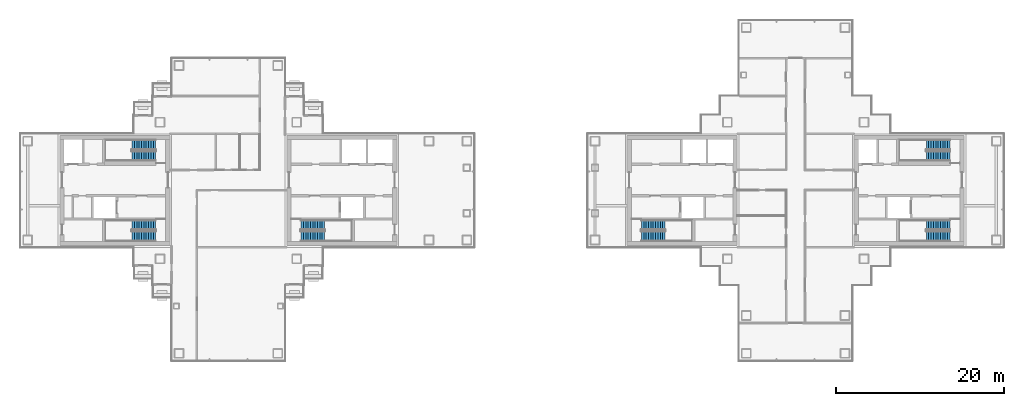
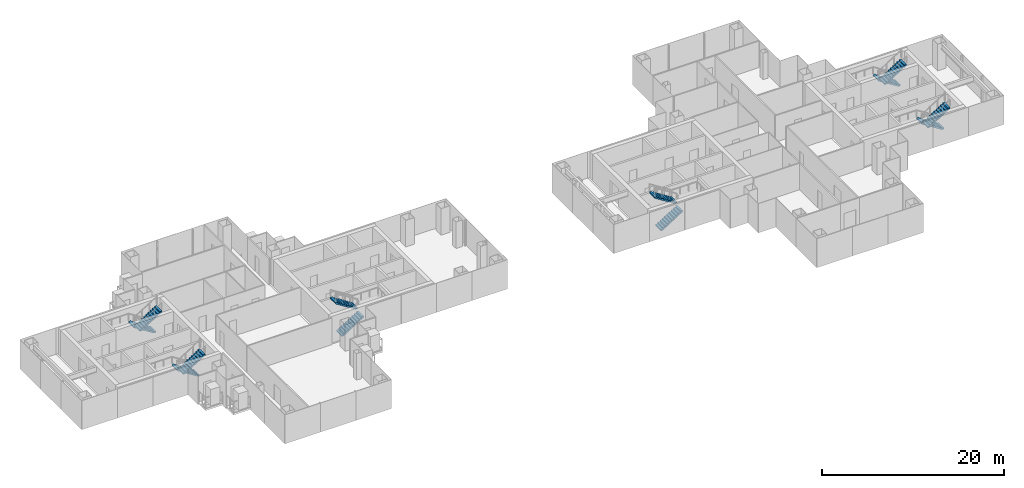
# One storey, part 13 of 16: 12 stair flights, 6 elements without a shape of their own.
"""IFC4 building model written with IfcOpenShell, lengths in metres."""

import ifcopenshell
import ifcopenshell.guid

model = None  # the IFC model being written
_history = None  # IfcOwnerHistory: only IFC2X3 demands one
_inside = {}  # id of a spatial element -> (the spatial element, [elements in it])
_under = {}  # id of a project, library or spatial element -> (it, [spatial elements below it])
_declared = {}  # id of a project -> (the project, [libraries it declares])
_typed = {}  # id of a type object -> (the type object, [elements of that type])
_made_of = {}  # id of a material, layer set ... -> (it, [elements and type objects made of it])


def new_model(schema):
    """Start an empty IFC model of exactly this schema.

    Asked for "IFC4X3", IfcOpenShell would pick the latest addendum, in which some entities
    have other attributes; the version numbers below select the first issue.
    IFC2X3 requires an IfcOwnerHistory on every rooted entity: one is made here for all.
    """
    global model, _history
    if schema == "IFC4X3":
        model = ifcopenshell.file(schema_version=(4, 3, 0, 0))
    else:
        model = ifcopenshell.file(schema=schema)
    _inside.clear()
    _under.clear()
    _declared.clear()
    _typed.clear()
    _made_of.clear()
    _history = None
    if model.schema == "IFC2X3":
        org = make("IfcOrganization", Name="unknown")
        user = make(
            "IfcPersonAndOrganization",
            ThePerson=make("IfcPerson", FamilyName="unknown"),
            TheOrganization=org,
        )
        app = make(
            "IfcApplication",
            ApplicationDeveloper=org,
            Version="unknown",
            ApplicationFullName="unknown",
            ApplicationIdentifier="unknown",
        )
        _history = make(
            "IfcOwnerHistory",
            OwningUser=user,
            OwningApplication=app,
            ChangeAction="ADDED",
            CreationDate=0,
        )
    return model


def make(cls, **values):
    """One entity of the class cls with the attributes given. An attribute that is None is left unset."""
    return model.create_entity(
        cls, **{name: value for name, value in values.items() if value is not None}
    )


def rooted(cls, **values):
    """An entity with a GlobalId (a new one), such as an element, a storey or a relation."""
    return make(cls, GlobalId=ifcopenshell.guid.new(), OwnerHistory=_history, **values)


def si_unit(unit_type, name, prefix=None):
    """IfcSIUnit, for example si_unit("LENGTHUNIT", "METRE", prefix="MILLI")."""
    return make("IfcSIUnit", UnitType=unit_type, Prefix=prefix, Name=name)


def assignment(units):
    """IfcUnitAssignment: the units of a project."""
    return None if units is None else make("IfcUnitAssignment", Units=units)


def point(xyz):
    """IfcCartesianPoint."""
    return None if xyz is None else make("IfcCartesianPoint", Coordinates=xyz)


def direction(xyz):
    """IfcDirection."""
    return None if xyz is None else make("IfcDirection", DirectionRatios=xyz)


def frame(location, z_axis=None, x_axis=None):
    """IfcAxis2Placement3D, a coordinate frame: its origin and axes. An axis left out is left unset."""
    return make(
        "IfcAxis2Placement3D",
        Location=point(location),
        Axis=direction(z_axis),
        RefDirection=direction(x_axis),
    )


def origin():
    """The frame at (0, 0, 0) with its axes left unset."""
    return frame((0.0, 0.0, 0.0))


def place(relative_to, where):
    """IfcLocalPlacement: puts the frame where relative to a parent placement (None: the world)."""
    return make(
        "IfcLocalPlacement", PlacementRelTo=relative_to, RelativePlacement=where
    )


def context(
    kind, dimensions, precision=None, world=None, true_north=None, identifier=None
):
    """IfcGeometricRepresentationContext, for example the 3D "Model" context."""
    return make(
        "IfcGeometricRepresentationContext",
        ContextIdentifier=identifier,
        ContextType=kind,
        CoordinateSpaceDimension=dimensions,
        Precision=precision,
        WorldCoordinateSystem=world,
        TrueNorth=true_north,
    )


def subcontext(parent, identifier, kind, view, scale=None):
    """IfcGeometricRepresentationSubContext, for example "Body" below "Model"."""
    return make(
        "IfcGeometricRepresentationSubContext",
        ContextIdentifier=identifier,
        ContextType=kind,
        ParentContext=parent,
        TargetScale=scale,
        TargetView=view,
    )


def project(units=None, contexts=None):
    """IfcProject with its units and contexts."""
    return rooted(
        "IfcProject",
        Name="project",
        RepresentationContexts=contexts,
        UnitsInContext=assignment(units),
    )


def spatial(cls, under=None, at=None, **own):
    """A site, building, storey or space (cls), placed at a placement, below another one or the project."""
    s = rooted(cls, ObjectPlacement=at, **own)
    if under is not None:
        _under.setdefault(under.id(), (under, []))[1].append(s)
    return s


def polyline(points):
    """IfcPolyline through the points."""
    return make("IfcPolyline", Points=[point(p) for p in points])


def outline(outer, holes=None, kind="AREA"):
    """IfcArbitraryClosedProfileDef: a profile drawn as a closed curve; with holes, ...WithVoids."""
    if holes is None:
        return make("IfcArbitraryClosedProfileDef", ProfileType=kind, OuterCurve=outer)
    return make(
        "IfcArbitraryProfileDefWithVoids",
        ProfileType=kind,
        OuterCurve=outer,
        InnerCurves=holes,
    )


def extrude(swept, where, along, depth):
    """IfcExtrudedAreaSolid: the profile swept, set in the frame where, extruded along a direction by depth."""
    return make(
        "IfcExtrudedAreaSolid",
        SweptArea=swept,
        Position=where,
        ExtrudedDirection=direction(along),
        Depth=depth,
    )


def shape(context_of_items, identifier, shape_type, items):
    """IfcShapeRepresentation: the items that make up one representation, for example the "Body"."""
    return make(
        "IfcShapeRepresentation",
        ContextOfItems=context_of_items,
        RepresentationIdentifier=identifier,
        RepresentationType=shape_type,
        Items=items,
    )


def material(Name=None, Category=None):
    """IfcMaterial."""
    return make("IfcMaterial", Name=Name, Category=Category)


def made_of(thing, what):
    """Note that an element or type object is made of a material, layer set ...; save() writes the relation."""
    if what is not None:
        _made_of.setdefault(what.id(), (what, []))[1].append(thing)
    return thing


def type_object(cls, material=None, **own):
    """A type object (cls), such as IfcWallType, which elements share."""
    return made_of(rooted(cls, **own), material)


def element(
    cls,
    number,
    at=None,
    inside=None,
    cuts=None,
    type_object=None,
    material=None,
    context=None,
    identifier="Body",
    shape_type=None,
    held_by="IfcProductDefinitionShape",
    body=None,
    shapes=None,
    **own,
):
    """One element of the class cls, such as IfcWall. Its Tag is "e" and its number.

    at: its placement. inside: the storey or other place that contains it. cuts: it is an
    opening in that element (IfcRelVoidsElement). A single representation is given by context,
    identifier, shape_type and body (its items); several are given by shapes. held_by: the class
    of the entity that holds the representations. save() writes the other relations.
    """
    e = rooted(cls, Tag="e%d" % number, ObjectPlacement=at, **own)
    if body is not None:
        shapes = [shape(context, identifier, shape_type, body)]
    if shapes is not None:
        e.Representation = make(held_by, Representations=shapes)
    if inside is not None:
        _inside.setdefault(inside.id(), (inside, []))[1].append(e)
    if cuts is not None:
        rooted(
            "IfcRelVoidsElement", RelatingBuildingElement=cuts, RelatedOpeningElement=e
        )
    if type_object is not None:
        _typed.setdefault(type_object.id(), (type_object, []))[1].append(e)
    return made_of(e, material)


def aggregate(whole, parts):
    """IfcRelAggregates: a whole, such as a stair, and the parts it consists of."""
    return rooted("IfcRelAggregates", RelatingObject=whole, RelatedObjects=parts)


def save(model, path):
    """Write the relations noted so far, then the file.

    IfcRelAggregates (storeys below a building ...), IfcRelContainedInSpatialStructure (elements
    in a storey), IfcRelDefinesByType, IfcRelAssociatesMaterial and IfcRelDeclares: one each for
    every whole, place, type object, material and project.
    """
    for whole, parts in _under.values():
        aggregate(whole, parts)
    for where, things in _inside.values():
        rooted(
            "IfcRelContainedInSpatialStructure",
            RelatedElements=things,
            RelatingStructure=where,
        )
    for kind, things in _typed.values():
        rooted("IfcRelDefinesByType", RelatedObjects=things, RelatingType=kind)
    for what, things in _made_of.values():
        rooted("IfcRelAssociatesMaterial", RelatedObjects=things, RelatingMaterial=what)
    for by, libraries in _declared.values():
        rooted("IfcRelDeclares", RelatingContext=by, RelatedDefinitions=libraries)
    model.write(path)


model = new_model("IFC4")

# Units and contexts
model_context = context("Model", 3, precision=1e-05, world=origin(), true_north=direction((0.0, 1.0)))
body_context = subcontext(model_context, "Body", "Model", "MODEL_VIEW")
ifc_project = project(units=[si_unit("LENGTHUNIT", "METRE"), si_unit("AREAUNIT", "SQUARE_METRE"), si_unit("VOLUMEUNIT", "CUBIC_METRE"), si_unit("PLANEANGLEUNIT", "RADIAN"), si_unit("MASSUNIT", "GRAM", prefix="KILO")], contexts=[model_context])

# Site, building, storey
site_placement = place(None, origin())
site = spatial("IfcSite", under=ifc_project, at=site_placement, CompositionType="ELEMENT")
building_placement = place(site_placement, origin())
building = spatial("IfcBuilding", under=site, at=building_placement, Name="Shamsa Quay Exchange Towers", CompositionType="ELEMENT")
storey_placement = place(building_placement, frame((0.0, 0.0, 150.60009765625)))
storey = spatial("IfcBuildingStorey", under=building, at=storey_placement, Name="L35", CompositionType="ELEMENT", Elevation=150.60009765625)

# Stair, stair flights
ifc_material = material(Name="Concrete C40/50", Category="concrete")
stair_type = type_object("IfcStairType", Name="EXIT STAIR 22 RISERS 177 MM", PredefinedType="HALF_TURN_STAIR", material=ifc_material)
stair_1_placement = place(storey_placement, origin())
stair_1 = element("IfcStair", 1, at=stair_1_placement, inside=storey, type_object=stair_type, Name="L35 Exit stair ST1", PredefinedType="HALF_TURN_STAIR")
stair_flight_type = type_object("IfcStairFlightType", Name="EXIT STAIR FLIGHT 11 RISERS 177 MM", PredefinedType="STRAIGHT", material=ifc_material)
stair_flight_1_placement = place(storey_placement, frame((-25.10009765625, -5.449951171875, 0.0)))
stair_flight_1 = element("IfcStairFlight", 2, at=stair_flight_1_placement, type_object=stair_flight_type, Name="ST1 flight 1", NumberOfRisers=11, NumberOfTreads=10, PredefinedType="STRAIGHT", RiserHeight=0.177272727, TreadLength=0.28, context=body_context, shape_type="SweptSolid", body=[
    extrude(outline(polyline([(0.0, 0.0), (0.0, 0.17724609375), (0.280029296875, 0.17724609375), (0.280029296875, 0.3544921875), (0.56005859375, 0.3544921875), (0.56005859375, 0.53173828125), (0.840087890625, 0.53173828125), (0.840087890625, 0.708984375), (1.1201171875, 0.708984375), (1.1201171875, 0.886474609375), (1.39990234375, 0.886474609375), (1.39990234375, 1.063720703125), (1.679931640625, 1.063720703125), (1.679931640625, 1.240966796875), (1.9599609375, 1.240966796875), (1.9599609375, 1.418212890625), (2.239990234375, 1.418212890625), (2.239990234375, 1.595458984375), (2.52001953125, 1.595458984375), (2.52001953125, 1.772705078125), (2.800048828125, 1.772705078125), (2.800048828125, 1.949951171875), (2.800048828125, 1.607177734375), (0.261474609375, 0.0), (0.0, 0.0)])), frame((0.0, 0.60009765625, 0.0), z_axis=(0.0, -1.0, 0.0), x_axis=(1.0, 0.0, 0.0)), (0.0, 0.0, 1.0), 1.199951171875),
])
stair_flight_2_placement = place(storey_placement, frame((-22.300048828125, -4.10009765625, 1.949951171875), z_axis=(0.0, 0.0, 1.0), x_axis=(-1.0, 0.0, 0.0)))
stair_flight_2 = element("IfcStairFlight", 3, at=stair_flight_2_placement, type_object=stair_flight_type, Name="ST1 flight 2", NumberOfRisers=11, NumberOfTreads=10, PredefinedType="STRAIGHT", RiserHeight=0.177272727, TreadLength=0.28, context=body_context, shape_type="SweptSolid", body=[
    extrude(outline(polyline([(0.0, 0.0), (0.0, 0.17724609375), (0.280029296875, 0.17724609375), (0.280029296875, 0.3544921875), (0.56005859375, 0.3544921875), (0.56005859375, 0.53173828125), (0.840087890625, 0.53173828125), (0.840087890625, 0.708984375), (1.1201171875, 0.708984375), (1.1201171875, 0.886474609375), (1.39990234375, 0.886474609375), (1.39990234375, 1.063720703125), (1.679931640625, 1.063720703125), (1.679931640625, 1.240966796875), (1.9599609375, 1.240966796875), (1.9599609375, 1.418212890625), (2.239990234375, 1.418212890625), (2.239990234375, 1.595458984375), (2.52001953125, 1.595458984375), (2.52001953125, 1.772705078125), (2.800048828125, 1.772705078125), (2.800048828125, 1.949951171875), (2.800048828125, 1.607177734375), (0.261474609375, 0.0), (0.0, 0.0)])), frame((0.0, 0.60009765625, 0.0), z_axis=(0.0, -1.0, 0.0), x_axis=(1.0, 0.0, 0.0)), (0.0, 0.0, 1.0), 1.199951171875),
])
aggregate(stair_1, [stair_flight_1, stair_flight_2])

stair_2_placement = place(storey_placement, origin())
stair_2 = element("IfcStair", 4, at=stair_2_placement, inside=storey, type_object=stair_type, Name="L35 Exit stair ST2", PredefinedType="HALF_TURN_STAIR")
stair_flight_3_placement = place(storey_placement, frame((-42.39990234375, -4.10009765625, 0.0), z_axis=(0.0, 0.0, 1.0), x_axis=(-1.0, 0.0, 0.0)))
stair_flight_3 = element("IfcStairFlight", 5, at=stair_flight_3_placement, type_object=stair_flight_type, Name="ST2 flight 1", NumberOfRisers=11, NumberOfTreads=10, PredefinedType="STRAIGHT", RiserHeight=0.177272727, TreadLength=0.28, context=body_context, shape_type="SweptSolid", body=[
    extrude(outline(polyline([(0.0, 0.0), (0.0, 0.17724609375), (0.280029296875, 0.17724609375), (0.280029296875, 0.3544921875), (0.56005859375, 0.3544921875), (0.56005859375, 0.53173828125), (0.840087890625, 0.53173828125), (0.840087890625, 0.708984375), (1.1201171875, 0.708984375), (1.1201171875, 0.886474609375), (1.39990234375, 0.886474609375), (1.39990234375, 1.063720703125), (1.679931640625, 1.063720703125), (1.679931640625, 1.240966796875), (1.9599609375, 1.240966796875), (1.9599609375, 1.418212890625), (2.239990234375, 1.418212890625), (2.239990234375, 1.595458984375), (2.52001953125, 1.595458984375), (2.52001953125, 1.772705078125), (2.800048828125, 1.772705078125), (2.800048828125, 1.949951171875), (2.800048828125, 1.607177734375), (0.261474609375, 0.0), (0.0, 0.0)])), frame((0.0, 0.60009765625, 0.0), z_axis=(0.0, -1.0, 0.0), x_axis=(1.0, 0.0, 0.0)), (0.0, 0.0, 1.0), 1.199951171875),
])
stair_flight_4_placement = place(storey_placement, frame((-45.199951171875, -5.449951171875, 1.949951171875)))
stair_flight_4 = element("IfcStairFlight", 6, at=stair_flight_4_placement, type_object=stair_flight_type, Name="ST2 flight 2", NumberOfRisers=11, NumberOfTreads=10, PredefinedType="STRAIGHT", RiserHeight=0.177272727, TreadLength=0.28, context=body_context, shape_type="SweptSolid", body=[
    extrude(outline(polyline([(0.0, 0.0), (0.0, 0.17724609375), (0.280029296875, 0.17724609375), (0.280029296875, 0.3544921875), (0.56005859375, 0.3544921875), (0.56005859375, 0.53173828125), (0.840087890625, 0.53173828125), (0.840087890625, 0.708984375), (1.1201171875, 0.708984375), (1.1201171875, 0.886474609375), (1.39990234375, 0.886474609375), (1.39990234375, 1.063720703125), (1.679931640625, 1.063720703125), (1.679931640625, 1.240966796875), (1.9599609375, 1.240966796875), (1.9599609375, 1.418212890625), (2.239990234375, 1.418212890625), (2.239990234375, 1.595458984375), (2.52001953125, 1.595458984375), (2.52001953125, 1.772705078125), (2.800048828125, 1.772705078125), (2.800048828125, 1.949951171875), (2.800048828125, 1.607177734375), (0.261474609375, 0.0), (0.0, 0.0)])), frame((0.0, 0.60009765625, 0.0), z_axis=(0.0, -1.0, 0.0), x_axis=(1.0, 0.0, 0.0)), (0.0, 0.0, 1.0), 1.199951171875),
])
aggregate(stair_2, [stair_flight_3, stair_flight_4])

stair_3_placement = place(storey_placement, origin())
stair_3 = element("IfcStair", 7, at=stair_3_placement, inside=storey, type_object=stair_type, Name="L35 Exit stair ST3", PredefinedType="HALF_TURN_STAIR")
stair_flight_5_placement = place(storey_placement, frame((-42.39990234375, 5.449951171875, 0.0), z_axis=(0.0, 0.0, 1.0), x_axis=(-1.0, 0.0, 0.0)))
stair_flight_5 = element("IfcStairFlight", 8, at=stair_flight_5_placement, type_object=stair_flight_type, Name="ST3 flight 1", NumberOfRisers=11, NumberOfTreads=10, PredefinedType="STRAIGHT", RiserHeight=0.177272727, TreadLength=0.28, context=body_context, shape_type="SweptSolid", body=[
    extrude(outline(polyline([(0.0, 0.0), (0.0, 0.17724609375), (0.280029296875, 0.17724609375), (0.280029296875, 0.3544921875), (0.56005859375, 0.3544921875), (0.56005859375, 0.53173828125), (0.840087890625, 0.53173828125), (0.840087890625, 0.708984375), (1.1201171875, 0.708984375), (1.1201171875, 0.886474609375), (1.39990234375, 0.886474609375), (1.39990234375, 1.063720703125), (1.679931640625, 1.063720703125), (1.679931640625, 1.240966796875), (1.9599609375, 1.240966796875), (1.9599609375, 1.418212890625), (2.239990234375, 1.418212890625), (2.239990234375, 1.595458984375), (2.52001953125, 1.595458984375), (2.52001953125, 1.772705078125), (2.800048828125, 1.772705078125), (2.800048828125, 1.949951171875), (2.800048828125, 1.607177734375), (0.261474609375, 0.0), (0.0, 0.0)])), frame((0.0, 0.60009765625, 0.0), z_axis=(0.0, -1.0, 0.0), x_axis=(1.0, 0.0, 0.0)), (0.0, 0.0, 1.0), 1.199951171875),
])
stair_flight_6_placement = place(storey_placement, frame((-45.199951171875, 4.10009765625, 1.949951171875)))
stair_flight_6 = element("IfcStairFlight", 9, at=stair_flight_6_placement, type_object=stair_flight_type, Name="ST3 flight 2", NumberOfRisers=11, NumberOfTreads=10, PredefinedType="STRAIGHT", RiserHeight=0.177272727, TreadLength=0.28, context=body_context, shape_type="SweptSolid", body=[
    extrude(outline(polyline([(0.0, 0.0), (0.0, 0.17724609375), (0.280029296875, 0.17724609375), (0.280029296875, 0.3544921875), (0.56005859375, 0.3544921875), (0.56005859375, 0.53173828125), (0.840087890625, 0.53173828125), (0.840087890625, 0.708984375), (1.1201171875, 0.708984375), (1.1201171875, 0.886474609375), (1.39990234375, 0.886474609375), (1.39990234375, 1.063720703125), (1.679931640625, 1.063720703125), (1.679931640625, 1.240966796875), (1.9599609375, 1.240966796875), (1.9599609375, 1.418212890625), (2.239990234375, 1.418212890625), (2.239990234375, 1.595458984375), (2.52001953125, 1.595458984375), (2.52001953125, 1.772705078125), (2.800048828125, 1.772705078125), (2.800048828125, 1.949951171875), (2.800048828125, 1.607177734375), (0.261474609375, 0.0), (0.0, 0.0)])), frame((0.0, 0.60009765625, 0.0), z_axis=(0.0, -1.0, 0.0), x_axis=(1.0, 0.0, 0.0)), (0.0, 0.0, 1.0), 1.199951171875),
])
aggregate(stair_3, [stair_flight_5, stair_flight_6])

stair_4_placement = place(storey_placement, origin())
stair_4 = element("IfcStair", 10, at=stair_4_placement, inside=storey, type_object=stair_type, Name="L35 Exit stair ST4", PredefinedType="HALF_TURN_STAIR")
stair_flight_7_placement = place(storey_placement, frame((15.39990234375, -5.449951171875, 0.0)))
stair_flight_7 = element("IfcStairFlight", 11, at=stair_flight_7_placement, type_object=stair_flight_type, Name="ST4 flight 1", NumberOfRisers=11, NumberOfTreads=10, PredefinedType="STRAIGHT", RiserHeight=0.177272727, TreadLength=0.28, context=body_context, shape_type="SweptSolid", body=[
    extrude(outline(polyline([(0.0, 0.0), (0.0, 0.17724609375), (0.280029296875, 0.17724609375), (0.280029296875, 0.3544921875), (0.56005859375, 0.3544921875), (0.56005859375, 0.53173828125), (0.840087890625, 0.53173828125), (0.840087890625, 0.708984375), (1.1201171875, 0.708984375), (1.1201171875, 0.886474609375), (1.39990234375, 0.886474609375), (1.39990234375, 1.063720703125), (1.679931640625, 1.063720703125), (1.679931640625, 1.240966796875), (1.9599609375, 1.240966796875), (1.9599609375, 1.418212890625), (2.239990234375, 1.418212890625), (2.239990234375, 1.595458984375), (2.52001953125, 1.595458984375), (2.52001953125, 1.772705078125), (2.800048828125, 1.772705078125), (2.800048828125, 1.949951171875), (2.800048828125, 1.607177734375), (0.261474609375, 0.0), (0.0, 0.0)])), frame((0.0, 0.60009765625, 0.0), z_axis=(0.0, -1.0, 0.0), x_axis=(1.0, 0.0, 0.0)), (0.0, 0.0, 1.0), 1.199951171875),
])
stair_flight_8_placement = place(storey_placement, frame((18.199951171875, -4.10009765625, 1.949951171875), z_axis=(0.0, 0.0, 1.0), x_axis=(-1.0, 0.0, 0.0)))
stair_flight_8 = element("IfcStairFlight", 12, at=stair_flight_8_placement, type_object=stair_flight_type, Name="ST4 flight 2", NumberOfRisers=11, NumberOfTreads=10, PredefinedType="STRAIGHT", RiserHeight=0.177272727, TreadLength=0.28, context=body_context, shape_type="SweptSolid", body=[
    extrude(outline(polyline([(0.0, 0.0), (0.0, 0.17724609375), (0.280029296875, 0.17724609375), (0.280029296875, 0.3544921875), (0.56005859375, 0.3544921875), (0.56005859375, 0.53173828125), (0.840087890625, 0.53173828125), (0.840087890625, 0.708984375), (1.1201171875, 0.708984375), (1.1201171875, 0.886474609375), (1.39990234375, 0.886474609375), (1.39990234375, 1.063720703125), (1.679931640625, 1.063720703125), (1.679931640625, 1.240966796875), (1.9599609375, 1.240966796875), (1.9599609375, 1.418212890625), (2.239990234375, 1.418212890625), (2.239990234375, 1.595458984375), (2.52001953125, 1.595458984375), (2.52001953125, 1.772705078125), (2.800048828125, 1.772705078125), (2.800048828125, 1.949951171875), (2.800048828125, 1.607177734375), (0.261474609375, 0.0), (0.0, 0.0)])), frame((0.0, 0.60009765625, 0.0), z_axis=(0.0, -1.0, 0.0), x_axis=(1.0, 0.0, 0.0)), (0.0, 0.0, 1.0), 1.199951171875),
])
aggregate(stair_4, [stair_flight_7, stair_flight_8])

stair_5_placement = place(storey_placement, origin())
stair_5 = element("IfcStair", 13, at=stair_5_placement, inside=storey, type_object=stair_type, Name="L35 Exit stair ST5", PredefinedType="HALF_TURN_STAIR")
stair_flight_9_placement = place(storey_placement, frame((52.10009765625, -4.10009765625, 0.0), z_axis=(0.0, 0.0, 1.0), x_axis=(-1.0, 0.0, 0.0)))
stair_flight_9 = element("IfcStairFlight", 14, at=stair_flight_9_placement, type_object=stair_flight_type, Name="ST5 flight 1", NumberOfRisers=11, NumberOfTreads=10, PredefinedType="STRAIGHT", RiserHeight=0.177272727, TreadLength=0.28, context=body_context, shape_type="SweptSolid", body=[
    extrude(outline(polyline([(0.0, 0.0), (0.0, 0.17724609375), (0.280029296875, 0.17724609375), (0.280029296875, 0.3544921875), (0.56005859375, 0.3544921875), (0.56005859375, 0.53173828125), (0.840087890625, 0.53173828125), (0.840087890625, 0.708984375), (1.1201171875, 0.708984375), (1.1201171875, 0.886474609375), (1.39990234375, 0.886474609375), (1.39990234375, 1.063720703125), (1.679931640625, 1.063720703125), (1.679931640625, 1.240966796875), (1.9599609375, 1.240966796875), (1.9599609375, 1.418212890625), (2.239990234375, 1.418212890625), (2.239990234375, 1.595458984375), (2.52001953125, 1.595458984375), (2.52001953125, 1.772705078125), (2.800048828125, 1.772705078125), (2.800048828125, 1.949951171875), (2.800048828125, 1.607177734375), (0.261474609375, 0.0), (0.0, 0.0)])), frame((0.0, 0.60009765625, 0.0), z_axis=(0.0, -1.0, 0.0), x_axis=(1.0, 0.0, 0.0)), (0.0, 0.0, 1.0), 1.199951171875),
])
stair_flight_10_placement = place(storey_placement, frame((49.300048828125, -5.449951171875, 1.949951171875)))
stair_flight_10 = element("IfcStairFlight", 15, at=stair_flight_10_placement, type_object=stair_flight_type, Name="ST5 flight 2", NumberOfRisers=11, NumberOfTreads=10, PredefinedType="STRAIGHT", RiserHeight=0.177272727, TreadLength=0.28, context=body_context, shape_type="SweptSolid", body=[
    extrude(outline(polyline([(0.0, 0.0), (0.0, 0.17724609375), (0.280029296875, 0.17724609375), (0.280029296875, 0.3544921875), (0.56005859375, 0.3544921875), (0.56005859375, 0.53173828125), (0.840087890625, 0.53173828125), (0.840087890625, 0.708984375), (1.1201171875, 0.708984375), (1.1201171875, 0.886474609375), (1.39990234375, 0.886474609375), (1.39990234375, 1.063720703125), (1.679931640625, 1.063720703125), (1.679931640625, 1.240966796875), (1.9599609375, 1.240966796875), (1.9599609375, 1.418212890625), (2.239990234375, 1.418212890625), (2.239990234375, 1.595458984375), (2.52001953125, 1.595458984375), (2.52001953125, 1.772705078125), (2.800048828125, 1.772705078125), (2.800048828125, 1.949951171875), (2.800048828125, 1.607177734375), (0.261474609375, 0.0), (0.0, 0.0)])), frame((0.0, 0.60009765625, 0.0), z_axis=(0.0, -1.0, 0.0), x_axis=(1.0, 0.0, 0.0)), (0.0, 0.0, 1.0), 1.199951171875),
])
aggregate(stair_5, [stair_flight_9, stair_flight_10])

stair_6_placement = place(storey_placement, origin())
stair_6 = element("IfcStair", 16, at=stair_6_placement, inside=storey, type_object=stair_type, Name="L35 Exit stair ST6", PredefinedType="HALF_TURN_STAIR")
stair_flight_11_placement = place(storey_placement, frame((52.10009765625, 5.449951171875, 0.0), z_axis=(0.0, 0.0, 1.0), x_axis=(-1.0, 0.0, 0.0)))
stair_flight_11 = element("IfcStairFlight", 17, at=stair_flight_11_placement, type_object=stair_flight_type, Name="ST6 flight 1", NumberOfRisers=11, NumberOfTreads=10, PredefinedType="STRAIGHT", RiserHeight=0.177272727, TreadLength=0.28, context=body_context, shape_type="SweptSolid", body=[
    extrude(outline(polyline([(0.0, 0.0), (0.0, 0.17724609375), (0.280029296875, 0.17724609375), (0.280029296875, 0.3544921875), (0.56005859375, 0.3544921875), (0.56005859375, 0.53173828125), (0.840087890625, 0.53173828125), (0.840087890625, 0.708984375), (1.1201171875, 0.708984375), (1.1201171875, 0.886474609375), (1.39990234375, 0.886474609375), (1.39990234375, 1.063720703125), (1.679931640625, 1.063720703125), (1.679931640625, 1.240966796875), (1.9599609375, 1.240966796875), (1.9599609375, 1.418212890625), (2.239990234375, 1.418212890625), (2.239990234375, 1.595458984375), (2.52001953125, 1.595458984375), (2.52001953125, 1.772705078125), (2.800048828125, 1.772705078125), (2.800048828125, 1.949951171875), (2.800048828125, 1.607177734375), (0.261474609375, 0.0), (0.0, 0.0)])), frame((0.0, 0.60009765625, 0.0), z_axis=(0.0, -1.0, 0.0), x_axis=(1.0, 0.0, 0.0)), (0.0, 0.0, 1.0), 1.199951171875),
])
stair_flight_12_placement = place(storey_placement, frame((49.300048828125, 4.10009765625, 1.949951171875)))
stair_flight_12 = element("IfcStairFlight", 18, at=stair_flight_12_placement, type_object=stair_flight_type, Name="ST6 flight 2", NumberOfRisers=11, NumberOfTreads=10, PredefinedType="STRAIGHT", RiserHeight=0.177272727, TreadLength=0.28, context=body_context, shape_type="SweptSolid", body=[
    extrude(outline(polyline([(0.0, 0.0), (0.0, 0.17724609375), (0.280029296875, 0.17724609375), (0.280029296875, 0.3544921875), (0.56005859375, 0.3544921875), (0.56005859375, 0.53173828125), (0.840087890625, 0.53173828125), (0.840087890625, 0.708984375), (1.1201171875, 0.708984375), (1.1201171875, 0.886474609375), (1.39990234375, 0.886474609375), (1.39990234375, 1.063720703125), (1.679931640625, 1.063720703125), (1.679931640625, 1.240966796875), (1.9599609375, 1.240966796875), (1.9599609375, 1.418212890625), (2.239990234375, 1.418212890625), (2.239990234375, 1.595458984375), (2.52001953125, 1.595458984375), (2.52001953125, 1.772705078125), (2.800048828125, 1.772705078125), (2.800048828125, 1.949951171875), (2.800048828125, 1.607177734375), (0.261474609375, 0.0), (0.0, 0.0)])), frame((0.0, 0.60009765625, 0.0), z_axis=(0.0, -1.0, 0.0), x_axis=(1.0, 0.0, 0.0)), (0.0, 0.0, 1.0), 1.199951171875),
])
aggregate(stair_6, [stair_flight_11, stair_flight_12])

save(model, "model.ifc")
